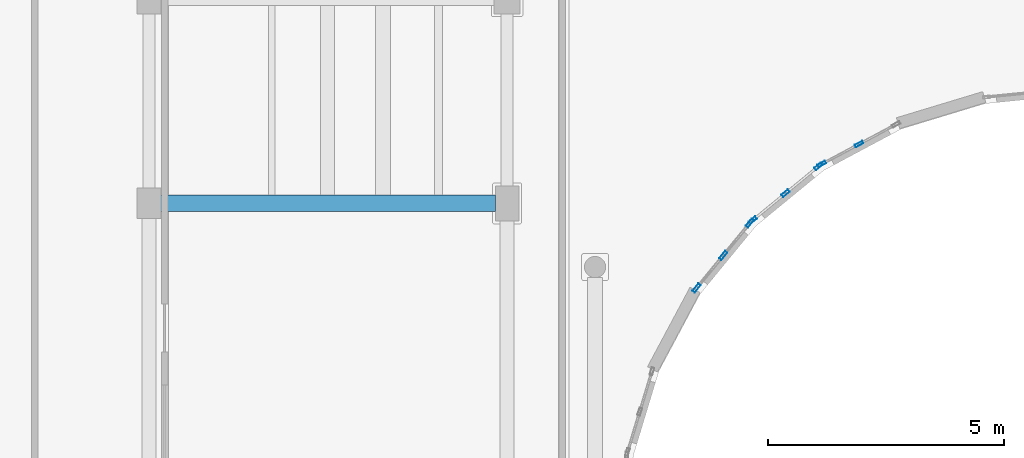
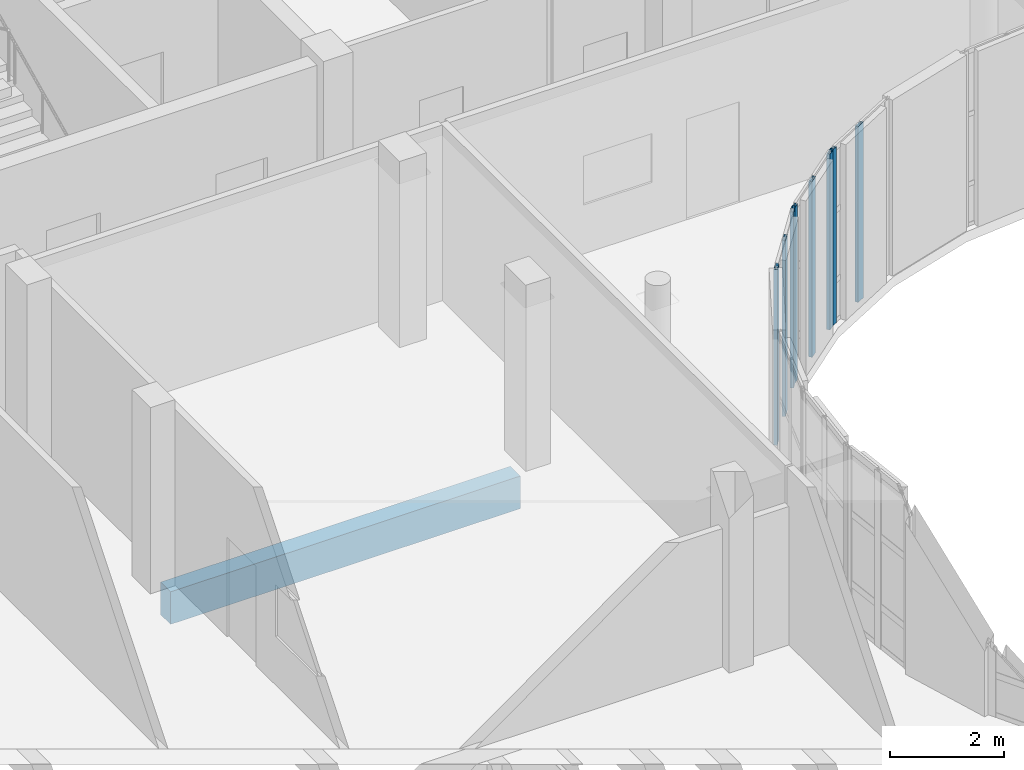
# One storey, part 34 of 92: 8 members, 1 beam, 3 elements without a shape of their own.
"""IFC4 building model written with IfcOpenShell, lengths in metres."""

from ifc_helpers import new_model, si_unit, direction, frame, origin, origin_2d, place, context, subcontext, project, spatial, rectangle, hollow_rectangle, extrude, material, layer, layer_set, material_profile, profile_set, type_object, element, aggregate, save


model = new_model("IFC4")

# Units and contexts
model_context = context("Model", 3, precision=1e-05, world=origin(), true_north=direction((0.0, 1.0)))
body_context = subcontext(model_context, "Body", "Model", "MODEL_VIEW")
ifc_project = project(units=[si_unit("LENGTHUNIT", "METRE"), si_unit("AREAUNIT", "SQUARE_METRE"), si_unit("VOLUMEUNIT", "CUBIC_METRE"), si_unit("PLANEANGLEUNIT", "RADIAN"), si_unit("MASSUNIT", "GRAM", prefix="KILO")], contexts=[model_context])

# Site, building, storey
site_placement = place(None, origin())
site = spatial("IfcSite", under=ifc_project, at=site_placement, CompositionType="ELEMENT")
building_placement = place(site_placement, origin())
building = spatial("IfcBuilding", under=site, at=building_placement, Name="Kelanivale Promenade Academy", CompositionType="ELEMENT")
storey_placement = place(building_placement, frame((0.0, 0.0, 8.199951171875)))
storey = spatial("IfcBuildingStorey", under=building, at=storey_placement, Name="L02", CompositionType="ELEMENT", Elevation=8.199951171875)

# Beam
ifc_material_1 = material(Name="Concrete C35/45", Category="concrete")
ifc_material_profile_1 = material_profile(ifc_material_1, rectangle(XDim=0.35009765625, YDim=0.699951171875, at=origin_2d()), Name="RC-BM 350x700")
ifc_profile_set_1 = profile_set([ifc_material_profile_1], Name="Concrete C35/45")
beam_type = type_object("IfcBeamType", Name="BM-11 RC-BM 350x700", PredefinedType="BEAM", material=ifc_profile_set_1)
beam_placement = place(storey_placement, frame((79.445068359375, 64.0, -0.570068359375), z_axis=(1.0, 0.0, 0.0), x_axis=(0.0, 1.0, 0.0)))
element("IfcBeam", 1, at=beam_placement, inside=storey, type_object=beam_type, Name="L02 girder BM-11", PredefinedType="BEAM", context=body_context, shape_type="SweptSolid", body=[
    extrude(rectangle(XDim=0.35009765625, YDim=0.699951171875, at=origin_2d()), origin(), (0.0, 0.0, 1.0), 7.10986328125),
])

# Curtain wall, members
ifc_material_2 = material(Name="Bronze anodised aluminium and solar-control low-E glass", Category="aluminium")
ifc_layer_1 = layer(ifc_material_2, 0.179931640625)
ifc_layer_set_1 = layer_set([ifc_layer_1], Name="Bronze anodised aluminium and solar-control low-E glass")
curtain_wall_type_1 = type_object("IfcCurtainWallType", Name="CW-14 Curtain Wall 1500mm Module", PredefinedType="USERDEFINED", material=ifc_layer_set_1)
curtain_wall_1_placement = place(storey_placement, origin())
curtain_wall_1 = element("IfcCurtainWall", 2, at=curtain_wall_1_placement, inside=storey, type_object=curtain_wall_type_1, Name="L02 courtyard curtain wall CW-14", ObjectType="COURTYARD SCREEN GLAZING", PredefinedType="USERDEFINED")
ifc_material_3 = material(Name="Bronze anodised aluminium EN AW-6063 T6", Category="aluminium")
ifc_material_profile_2 = material_profile(ifc_material_3, hollow_rectangle(XDim=0.06005859375, YDim=0.179931640625, WallThickness=0.00390625, at=origin_2d()), Name="ALU 60x180x4.0")
ifc_profile_set_2 = profile_set([ifc_material_profile_2], Name="Bronze anodised aluminium EN AW-6063 T6")
member_type_1 = type_object("IfcMemberType", Name="CWM-02 ALU 60x180x4.0", PredefinedType="MULLION", material=ifc_profile_set_2)
member_1_placement = place(storey_placement, frame((94.27099609375, 65.257568359375, 0.0), z_axis=(0.0, 0.0, 1.0), x_axis=(0.471290193914, -0.881978204448, 0.0)))
member_1 = element("IfcMember", 3, at=member_1_placement, type_object=member_type_1, Name="CW-14 mullion 2", PredefinedType="MULLION", context=body_context, shape_type="SweptSolid", body=[
    extrude(hollow_rectangle(XDim=0.06005859375, YDim=0.179931640625, WallThickness=0.00390625, at=origin_2d()), origin(), (0.0, 0.0, 1.0), 3.780029296875),
])
member_2_placement = place(storey_placement, frame((93.482421875, 64.836181640625, 0.0), z_axis=(0.0, 0.0, 1.0), x_axis=(0.471290193914, -0.881978204448, 0.0)))
member_2 = element("IfcMember", 4, at=member_2_placement, type_object=member_type_1, Name="CW-14 mullion 3", PredefinedType="MULLION", context=body_context, shape_type="SweptSolid", body=[
    extrude(hollow_rectangle(XDim=0.06005859375, YDim=0.179931640625, WallThickness=0.00390625, at=origin_2d()), origin(), (0.0, 0.0, 1.0), 3.780029296875),
])
aggregate(curtain_wall_1, [member_1, member_2])

ifc_layer_2 = layer(ifc_material_2, 0.159912109375)
ifc_layer_set_2 = layer_set([ifc_layer_2], Name="Bronze anodised aluminium and solar-control low-E glass")
curtain_wall_type_2 = type_object("IfcCurtainWallType", Name="CW-15 Curtain Wall 1650mm Module", PredefinedType="USERDEFINED", material=ifc_layer_set_2)
curtain_wall_2_placement = place(storey_placement, origin())
curtain_wall_2 = element("IfcCurtainWall", 5, at=curtain_wall_2_placement, inside=storey, type_object=curtain_wall_type_2, Name="L02 courtyard curtain wall CW-15", ObjectType="COURTYARD SCREEN GLAZING", PredefinedType="USERDEFINED")
ifc_material_profile_3 = material_profile(ifc_material_3, hollow_rectangle(XDim=0.06494140625, YDim=0.175048828125, WallThickness=0.00390625, at=origin_2d()), Name="ALU 65x175x4.0")
ifc_profile_set_3 = profile_set([ifc_material_profile_3], Name="Bronze anodised aluminium EN AW-6063 T6")
member_type_2 = type_object("IfcMemberType", Name="CWM-03 ALU 65x175x4.0", PredefinedType="MULLION", material=ifc_profile_set_3)
member_3_placement = place(storey_placement, frame((93.407958984375, 64.786376953125, 0.0), z_axis=(0.0, 0.0, 1.0), x_axis=(0.634143799719, -0.773215132597, 0.0)))
member_3 = element("IfcMember", 6, at=member_3_placement, type_object=member_type_2, Name="CW-15 mullion 1", PredefinedType="MULLION", context=body_context, shape_type="SweptSolid", body=[
    extrude(hollow_rectangle(XDim=0.06494140625, YDim=0.175048828125, WallThickness=0.00390625, at=origin_2d()), origin(), (0.0, 0.0, 1.0), 3.780029296875),
])
member_4_placement = place(storey_placement, frame((92.712890625, 64.216552734375, 0.0), z_axis=(0.0, 0.0, 1.0), x_axis=(0.634143799719, -0.773215132597, 0.0)))
member_4 = element("IfcMember", 7, at=member_4_placement, type_object=member_type_2, Name="CW-15 mullion 2", PredefinedType="MULLION", context=body_context, shape_type="SweptSolid", body=[
    extrude(hollow_rectangle(XDim=0.06494140625, YDim=0.175048828125, WallThickness=0.00390625, at=origin_2d()), origin(), (0.0, 0.0, 1.0), 3.780029296875),
])
member_5_placement = place(storey_placement, frame((92.01806640625, 63.646728515625, 0.0), z_axis=(0.0, 0.0, 1.0), x_axis=(0.634143799719, -0.773215132597, 0.0)))
member_5 = element("IfcMember", 8, at=member_5_placement, type_object=member_type_2, Name="CW-15 mullion 3", PredefinedType="MULLION", context=body_context, shape_type="SweptSolid", body=[
    extrude(hollow_rectangle(XDim=0.06494140625, YDim=0.175048828125, WallThickness=0.00390625, at=origin_2d()), origin(), (0.0, 0.0, 1.0), 3.780029296875),
])
aggregate(curtain_wall_2, [member_3, member_4, member_5])

ifc_layer_3 = layer(ifc_material_2, 0.169921875)
ifc_layer_set_3 = layer_set([ifc_layer_3], Name="Bronze anodised aluminium and solar-control low-E glass")
curtain_wall_type_3 = type_object("IfcCurtainWallType", Name="CW-16 Curtain Wall 1800mm Module", PredefinedType="USERDEFINED", material=ifc_layer_set_3)
curtain_wall_3_placement = place(storey_placement, origin())
curtain_wall_3 = element("IfcCurtainWall", 9, at=curtain_wall_3_placement, inside=storey, type_object=curtain_wall_type_3, Name="L02 courtyard curtain wall CW-16", ObjectType="COURTYARD SCREEN GLAZING", PredefinedType="USERDEFINED")
ifc_material_profile_4 = material_profile(ifc_material_3, hollow_rectangle(XDim=0.06494140625, YDim=0.199951171875, WallThickness=0.00439453125, at=origin_2d()), Name="ALU 65x200x4.5")
ifc_profile_set_4 = profile_set([ifc_material_profile_4], Name="Bronze anodised aluminium EN AW-6063 T6")
member_type_3 = type_object("IfcMemberType", Name="CWM-04 ALU 65x200x4.5", PredefinedType="MULLION", material=ifc_profile_set_4)
member_6_placement = place(storey_placement, frame((91.953369140625, 63.581787109375, 0.0), z_axis=(0.0, 0.0, 1.0), x_axis=(0.773257170269, -0.634092539482, 0.0)))
member_6 = element("IfcMember", 10, at=member_6_placement, type_object=member_type_3, Name="CW-16 mullion 1", PredefinedType="MULLION", context=body_context, shape_type="SweptSolid", body=[
    extrude(hollow_rectangle(XDim=0.06494140625, YDim=0.199951171875, WallThickness=0.00439453125, at=origin_2d()), origin(), (0.0, 0.0, 1.0), 3.780029296875),
])
member_7_placement = place(storey_placement, frame((91.388427734375, 62.89306640625, 0.0), z_axis=(0.0, 0.0, 1.0), x_axis=(0.773257170269, -0.634092539482, 0.0)))
member_7 = element("IfcMember", 11, at=member_7_placement, type_object=member_type_3, Name="CW-16 mullion 2", PredefinedType="MULLION", context=body_context, shape_type="SweptSolid", body=[
    extrude(hollow_rectangle(XDim=0.06494140625, YDim=0.199951171875, WallThickness=0.00439453125, at=origin_2d()), origin(), (0.0, 0.0, 1.0), 3.780029296875),
])
member_8_placement = place(storey_placement, frame((90.823486328125, 62.2041015625, 0.0), z_axis=(0.0, 0.0, 1.0), x_axis=(0.773257170269, -0.634092539482, 0.0)))
member_8 = element("IfcMember", 12, at=member_8_placement, type_object=member_type_3, Name="CW-16 mullion 3", PredefinedType="MULLION", context=body_context, shape_type="SweptSolid", body=[
    extrude(hollow_rectangle(XDim=0.06494140625, YDim=0.199951171875, WallThickness=0.00439453125, at=origin_2d()), origin(), (0.0, 0.0, 1.0), 3.780029296875),
])
aggregate(curtain_wall_3, [member_6, member_7, member_8])

save(model, "model.ifc")
